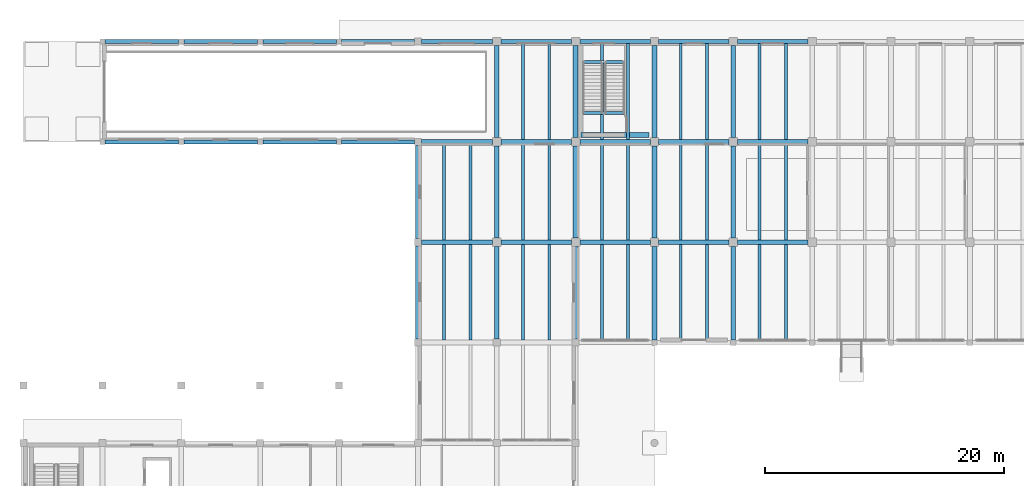
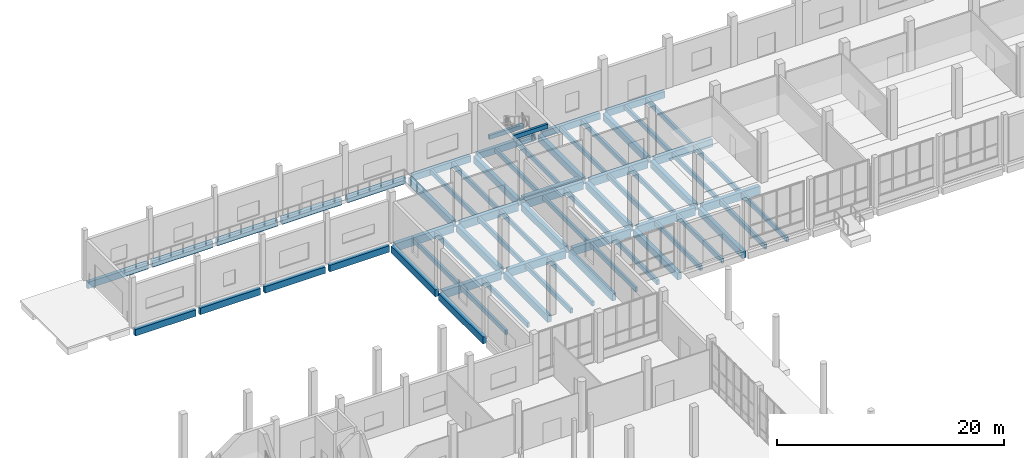
# One storey, part 10 of 64: 68 beams.
"""IFC4 building model written with IfcOpenShell, lengths in metres."""

import ifcopenshell
import ifcopenshell.guid

model = None  # the IFC model being written
_history = None  # IfcOwnerHistory: only IFC2X3 demands one
_inside = {}  # id of a spatial element -> (the spatial element, [elements in it])
_under = {}  # id of a project, library or spatial element -> (it, [spatial elements below it])
_declared = {}  # id of a project -> (the project, [libraries it declares])
_typed = {}  # id of a type object -> (the type object, [elements of that type])
_made_of = {}  # id of a material, layer set ... -> (it, [elements and type objects made of it])


def new_model(schema):
    """Start an empty IFC model of exactly this schema.

    Asked for "IFC4X3", IfcOpenShell would pick the latest addendum, in which some entities
    have other attributes; the version numbers below select the first issue.
    IFC2X3 requires an IfcOwnerHistory on every rooted entity: one is made here for all.
    """
    global model, _history
    if schema == "IFC4X3":
        model = ifcopenshell.file(schema_version=(4, 3, 0, 0))
    else:
        model = ifcopenshell.file(schema=schema)
    _inside.clear()
    _under.clear()
    _declared.clear()
    _typed.clear()
    _made_of.clear()
    _history = None
    if model.schema == "IFC2X3":
        org = make("IfcOrganization", Name="unknown")
        user = make(
            "IfcPersonAndOrganization",
            ThePerson=make("IfcPerson", FamilyName="unknown"),
            TheOrganization=org,
        )
        app = make(
            "IfcApplication",
            ApplicationDeveloper=org,
            Version="unknown",
            ApplicationFullName="unknown",
            ApplicationIdentifier="unknown",
        )
        _history = make(
            "IfcOwnerHistory",
            OwningUser=user,
            OwningApplication=app,
            ChangeAction="ADDED",
            CreationDate=0,
        )
    return model


def make(cls, **values):
    """One entity of the class cls with the attributes given. An attribute that is None is left unset."""
    return model.create_entity(
        cls, **{name: value for name, value in values.items() if value is not None}
    )


def rooted(cls, **values):
    """An entity with a GlobalId (a new one), such as an element, a storey or a relation."""
    return make(cls, GlobalId=ifcopenshell.guid.new(), OwnerHistory=_history, **values)


def si_unit(unit_type, name, prefix=None):
    """IfcSIUnit, for example si_unit("LENGTHUNIT", "METRE", prefix="MILLI")."""
    return make("IfcSIUnit", UnitType=unit_type, Prefix=prefix, Name=name)


def assignment(units):
    """IfcUnitAssignment: the units of a project."""
    return None if units is None else make("IfcUnitAssignment", Units=units)


def point(xyz):
    """IfcCartesianPoint."""
    return None if xyz is None else make("IfcCartesianPoint", Coordinates=xyz)


def direction(xyz):
    """IfcDirection."""
    return None if xyz is None else make("IfcDirection", DirectionRatios=xyz)


def frame(location, z_axis=None, x_axis=None):
    """IfcAxis2Placement3D, a coordinate frame: its origin and axes. An axis left out is left unset."""
    return make(
        "IfcAxis2Placement3D",
        Location=point(location),
        Axis=direction(z_axis),
        RefDirection=direction(x_axis),
    )


def frame_2d(location, x_axis=None):
    """IfcAxis2Placement2D, a coordinate frame in the plane: its origin and x axis."""
    return make(
        "IfcAxis2Placement2D", Location=point(location), RefDirection=direction(x_axis)
    )


def origin():
    """The frame at (0, 0, 0) with its axes left unset."""
    return frame((0.0, 0.0, 0.0))


def origin_2d():
    """The frame at (0, 0) in the plane with its x axis left unset."""
    return frame_2d((0.0, 0.0))


def place(relative_to, where):
    """IfcLocalPlacement: puts the frame where relative to a parent placement (None: the world)."""
    return make(
        "IfcLocalPlacement", PlacementRelTo=relative_to, RelativePlacement=where
    )


def context(
    kind, dimensions, precision=None, world=None, true_north=None, identifier=None
):
    """IfcGeometricRepresentationContext, for example the 3D "Model" context."""
    return make(
        "IfcGeometricRepresentationContext",
        ContextIdentifier=identifier,
        ContextType=kind,
        CoordinateSpaceDimension=dimensions,
        Precision=precision,
        WorldCoordinateSystem=world,
        TrueNorth=true_north,
    )


def subcontext(parent, identifier, kind, view, scale=None):
    """IfcGeometricRepresentationSubContext, for example "Body" below "Model"."""
    return make(
        "IfcGeometricRepresentationSubContext",
        ContextIdentifier=identifier,
        ContextType=kind,
        ParentContext=parent,
        TargetScale=scale,
        TargetView=view,
    )


def project(units=None, contexts=None):
    """IfcProject with its units and contexts."""
    return rooted(
        "IfcProject",
        Name="project",
        RepresentationContexts=contexts,
        UnitsInContext=assignment(units),
    )


def spatial(cls, under=None, at=None, **own):
    """A site, building, storey or space (cls), placed at a placement, below another one or the project."""
    s = rooted(cls, ObjectPlacement=at, **own)
    if under is not None:
        _under.setdefault(under.id(), (under, []))[1].append(s)
    return s


def profile(cls, at=None, kind="AREA", **sizes):
    """A parametric profile (cls). Its sizes go by their IFC names, for example OverallWidth=200.0."""
    return make(cls, ProfileType=kind, Position=at, **sizes)


def rectangle(**sizes):
    """IfcRectangleProfileDef."""
    return profile("IfcRectangleProfileDef", **sizes)


def extrude(swept, where, along, depth):
    """IfcExtrudedAreaSolid: the profile swept, set in the frame where, extruded along a direction by depth."""
    return make(
        "IfcExtrudedAreaSolid",
        SweptArea=swept,
        Position=where,
        ExtrudedDirection=direction(along),
        Depth=depth,
    )


def shape(context_of_items, identifier, shape_type, items):
    """IfcShapeRepresentation: the items that make up one representation, for example the "Body"."""
    return make(
        "IfcShapeRepresentation",
        ContextOfItems=context_of_items,
        RepresentationIdentifier=identifier,
        RepresentationType=shape_type,
        Items=items,
    )


def material(Name=None, Category=None):
    """IfcMaterial."""
    return make("IfcMaterial", Name=Name, Category=Category)


def material_profile(
    of_material, cross_section, Name=None, Category=None, Priority=None
):
    """IfcMaterialProfile: a cross section and its material."""
    return make(
        "IfcMaterialProfile",
        Name=Name,
        Material=of_material,
        Profile=cross_section,
        Priority=Priority,
        Category=Category,
    )


def profile_set(profiles, Name=None, composite=None):
    """IfcMaterialProfileSet."""
    return make(
        "IfcMaterialProfileSet",
        Name=Name,
        MaterialProfiles=profiles,
        CompositeProfile=composite,
    )


def made_of(thing, what):
    """Note that an element or type object is made of a material, layer set ...; save() writes the relation."""
    if what is not None:
        _made_of.setdefault(what.id(), (what, []))[1].append(thing)
    return thing


def type_object(cls, material=None, **own):
    """A type object (cls), such as IfcWallType, which elements share."""
    return made_of(rooted(cls, **own), material)


def element(
    cls,
    number,
    at=None,
    inside=None,
    cuts=None,
    type_object=None,
    material=None,
    context=None,
    identifier="Body",
    shape_type=None,
    held_by="IfcProductDefinitionShape",
    body=None,
    shapes=None,
    **own,
):
    """One element of the class cls, such as IfcWall. Its Tag is "e" and its number.

    at: its placement. inside: the storey or other place that contains it. cuts: it is an
    opening in that element (IfcRelVoidsElement). A single representation is given by context,
    identifier, shape_type and body (its items); several are given by shapes. held_by: the class
    of the entity that holds the representations. save() writes the other relations.
    """
    e = rooted(cls, Tag="e%d" % number, ObjectPlacement=at, **own)
    if body is not None:
        shapes = [shape(context, identifier, shape_type, body)]
    if shapes is not None:
        e.Representation = make(held_by, Representations=shapes)
    if inside is not None:
        _inside.setdefault(inside.id(), (inside, []))[1].append(e)
    if cuts is not None:
        rooted(
            "IfcRelVoidsElement", RelatingBuildingElement=cuts, RelatedOpeningElement=e
        )
    if type_object is not None:
        _typed.setdefault(type_object.id(), (type_object, []))[1].append(e)
    return made_of(e, material)


def aggregate(whole, parts):
    """IfcRelAggregates: a whole, such as a stair, and the parts it consists of."""
    return rooted("IfcRelAggregates", RelatingObject=whole, RelatedObjects=parts)


def save(model, path):
    """Write the relations noted so far, then the file.

    IfcRelAggregates (storeys below a building ...), IfcRelContainedInSpatialStructure (elements
    in a storey), IfcRelDefinesByType, IfcRelAssociatesMaterial and IfcRelDeclares: one each for
    every whole, place, type object, material and project.
    """
    for whole, parts in _under.values():
        aggregate(whole, parts)
    for where, things in _inside.values():
        rooted(
            "IfcRelContainedInSpatialStructure",
            RelatedElements=things,
            RelatingStructure=where,
        )
    for kind, things in _typed.values():
        rooted("IfcRelDefinesByType", RelatedObjects=things, RelatingType=kind)
    for what, things in _made_of.values():
        rooted("IfcRelAssociatesMaterial", RelatedObjects=things, RelatingMaterial=what)
    for by, libraries in _declared.values():
        rooted("IfcRelDeclares", RelatingContext=by, RelatedDefinitions=libraries)
    model.write(path)


model = new_model("IFC4")

# Units and contexts
model_context = context("Model", 3, precision=1e-05, world=origin(), true_north=direction((0.0, 1.0)))
body_context = subcontext(model_context, "Body", "Model", "MODEL_VIEW")
ifc_project = project(units=[si_unit("LENGTHUNIT", "METRE"), si_unit("AREAUNIT", "SQUARE_METRE"), si_unit("VOLUMEUNIT", "CUBIC_METRE"), si_unit("PLANEANGLEUNIT", "RADIAN"), si_unit("MASSUNIT", "GRAM", prefix="KILO")], contexts=[model_context])

# Site, building, storey
site_placement = place(None, origin())
site = spatial("IfcSite", under=ifc_project, at=site_placement, CompositionType="ELEMENT")
building_placement = place(site_placement, origin())
building = spatial("IfcBuilding", under=site, at=building_placement, Name="Qaldarim Faculty of Natural and Applied Sciences", CompositionType="ELEMENT")
storey_placement = place(building_placement, origin())
storey = spatial("IfcBuildingStorey", under=building, at=storey_placement, Name="L00", CompositionType="ELEMENT", Elevation=0.0)

# Beams
ifc_material_1 = material(Name="Concrete C40/50", Category="concrete")
ifc_material_profile_1 = material_profile(ifc_material_1, rectangle(XDim=0.239990234375, YDim=0.5, at=origin_2d()), Name="RC-J240x500")
ifc_profile_set_1 = profile_set([ifc_material_profile_1], Name="Concrete C40/50")
beam_type_1 = type_object("IfcBeamType", Name="HeavyJoist-RC240x500", PredefinedType="JOIST", material=ifc_profile_set_1)
for number, where, z_axis, x_axis, name in (
    (1, (35.199951171875, 92.60009765625, -0.610107421875), (0.0, 1.0, 0.0), (-1.0, 0.0, 0.0), "Laboratory joist B01 bay X06Y12-1"),
    (2, (37.39990234375, 92.60009765625, -0.610107421875), (0.0, 1.0, 0.0), (-1.0, 0.0, 0.0), "Laboratory joist B01 bay X06Y12-2"),
    (3, (35.199951171875, 101.0, -0.610107421875), (0.0, 1.0, 0.0), (-1.0, 0.0, 0.0), "Laboratory joist B01 bay X06Y13-1"),
    (4, (37.39990234375, 101.0, -0.610107421875), (0.0, 1.0, 0.0), (-1.0, 0.0, 0.0), "Laboratory joist B01 bay X06Y13-2"),
    (5, (41.800048828125, 92.60009765625, -0.610107421875), (0.0, 1.0, 0.0), (-1.0, 0.0, 0.0), "Laboratory joist B01 bay X07Y12-1"),
    (6, (44.0, 92.60009765625, -0.610107421875), (0.0, 1.0, 0.0), (-1.0, 0.0, 0.0), "Laboratory joist B01 bay X07Y12-2"),
    (7, (41.800048828125, 101.0, -0.610107421875), (0.0, 1.0, 0.0), (-1.0, 0.0, 0.0), "Laboratory joist B01 bay X07Y13-1"),
    (8, (44.0, 101.0, -0.610107421875), (0.0, 1.0, 0.0), (-1.0, 0.0, 0.0), "Laboratory joist B01 bay X07Y13-2"),
):
    element("IfcBeam", number, at=place(storey_placement, frame(where, z_axis=z_axis, x_axis=x_axis)), inside=storey, type_object=beam_type_1, Name=name, PredefinedType="JOIST", context=body_context, shape_type="SweptSolid", body=[
        extrude(rectangle(XDim=0.239990234375, YDim=0.5, at=origin_2d()), origin(), (0.0, 0.0, 1.0), 8.0),
    ])
for number, where, z_axis, x_axis, name in (
    (9, (41.800048828125, 109.39990234375, -0.610107421875), (0.0, 1.0, 0.0), (-1.0, 0.0, 0.0), "Laboratory joist B01 bay X07Y14-1"),
    (10, (44.0, 109.39990234375, -0.610107421875), (0.0, 1.0, 0.0), (-1.0, 0.0, 0.0), "Laboratory joist B01 bay X07Y14-2"),
    (11, (48.39990234375, 92.574951171875, -0.610107421875), (0.0, 1.0, 0.0), (-1.0, 0.0, 0.0), "Laboratory joist B01 bay X08Y12-1"),
    (12, (50.60009765625, 92.574951171875, -0.610107421875), (0.0, 1.0, 0.0), (-1.0, 0.0, 0.0), "Laboratory joist B01 bay X08Y12-2"),
):
    element("IfcBeam", number, at=place(storey_placement, frame(where, z_axis=z_axis, x_axis=x_axis)), inside=storey, type_object=beam_type_1, Name=name, PredefinedType="JOIST", context=body_context, shape_type="SweptSolid", body=[
        extrude(rectangle(XDim=0.239990234375, YDim=0.5, at=origin_2d()), origin(), (0.0, 0.0, 1.0), 8.025146484375),
    ])
for number, where, z_axis, x_axis, name in (
    (13, (48.39990234375, 101.0, -0.610107421875), (0.0, 1.0, 0.0), (-1.0, 0.0, 0.0), "Laboratory joist B01 bay X08Y13-1"),
    (14, (50.60009765625, 101.0, -0.610107421875), (0.0, 1.0, 0.0), (-1.0, 0.0, 0.0), "Laboratory joist B01 bay X08Y13-2"),
):
    element("IfcBeam", number, at=place(storey_placement, frame(where, z_axis=z_axis, x_axis=x_axis)), inside=storey, type_object=beam_type_1, Name=name, PredefinedType="JOIST", context=body_context, shape_type="SweptSolid", body=[
        extrude(rectangle(XDim=0.239990234375, YDim=0.5, at=origin_2d()), origin(), (0.0, 0.0, 1.0), 8.0),
    ])
for number, where, z_axis, x_axis, name in (
    (15, (48.39990234375, 109.39990234375, -0.610107421875), (0.0, 1.0, 0.0), (-1.0, 0.0, 0.0), "Laboratory joist B01 bay X08Y14-1"),
    (16, (50.60009765625, 109.39990234375, -0.610107421875), (0.0, 1.0, 0.0), (-1.0, 0.0, 0.0), "Laboratory joist B01 bay X08Y14-2"),
    (17, (55.0, 92.574951171875, -0.610107421875), (0.0, 1.0, 0.0), (-1.0, 0.0, 0.0), "Laboratory joist B01 bay X09Y12-1"),
    (18, (57.199951171875, 92.574951171875, -0.610107421875), (0.0, 1.0, 0.0), (-1.0, 0.0, 0.0), "Laboratory joist B01 bay X09Y12-2"),
):
    element("IfcBeam", number, at=place(storey_placement, frame(where, z_axis=z_axis, x_axis=x_axis)), inside=storey, type_object=beam_type_1, Name=name, PredefinedType="JOIST", context=body_context, shape_type="SweptSolid", body=[
        extrude(rectangle(XDim=0.239990234375, YDim=0.5, at=origin_2d()), origin(), (0.0, 0.0, 1.0), 8.025146484375),
    ])
for number, where, z_axis, x_axis, name in (
    (19, (55.0, 101.0, -0.610107421875), (0.0, 1.0, 0.0), (-1.0, 0.0, 0.0), "Laboratory joist B01 bay X09Y13-1"),
    (20, (57.199951171875, 101.0, -0.610107421875), (0.0, 1.0, 0.0), (-1.0, 0.0, 0.0), "Laboratory joist B01 bay X09Y13-2"),
):
    element("IfcBeam", number, at=place(storey_placement, frame(where, z_axis=z_axis, x_axis=x_axis)), inside=storey, type_object=beam_type_1, Name=name, PredefinedType="JOIST", context=body_context, shape_type="SweptSolid", body=[
        extrude(rectangle(XDim=0.239990234375, YDim=0.5, at=origin_2d()), origin(), (0.0, 0.0, 1.0), 8.0),
    ])
for number, where, z_axis, x_axis, name in (
    (21, (55.0, 109.39990234375, -0.610107421875), (0.0, 1.0, 0.0), (-1.0, 0.0, 0.0), "Laboratory joist B01 bay X09Y14-1"),
    (22, (57.199951171875, 109.39990234375, -0.610107421875), (0.0, 1.0, 0.0), (-1.0, 0.0, 0.0), "Laboratory joist B01 bay X09Y14-2"),
    (23, (61.60009765625, 92.574951171875, -0.610107421875), (0.0, 1.0, 0.0), (-1.0, 0.0, 0.0), "Laboratory joist B01 bay X10Y12-1"),
    (24, (63.800048828125, 92.574951171875, -0.610107421875), (0.0, 1.0, 0.0), (-1.0, 0.0, 0.0), "Laboratory joist B01 bay X10Y12-2"),
):
    element("IfcBeam", number, at=place(storey_placement, frame(where, z_axis=z_axis, x_axis=x_axis)), inside=storey, type_object=beam_type_1, Name=name, PredefinedType="JOIST", context=body_context, shape_type="SweptSolid", body=[
        extrude(rectangle(XDim=0.239990234375, YDim=0.5, at=origin_2d()), origin(), (0.0, 0.0, 1.0), 8.025146484375),
    ])
for number, where, z_axis, x_axis, name in (
    (25, (61.60009765625, 101.0, -0.610107421875), (0.0, 1.0, 0.0), (-1.0, 0.0, 0.0), "Laboratory joist B01 bay X10Y13-1"),
    (26, (63.800048828125, 101.0, -0.610107421875), (0.0, 1.0, 0.0), (-1.0, 0.0, 0.0), "Laboratory joist B01 bay X10Y13-2"),
):
    element("IfcBeam", number, at=place(storey_placement, frame(where, z_axis=z_axis, x_axis=x_axis)), inside=storey, type_object=beam_type_1, Name=name, PredefinedType="JOIST", context=body_context, shape_type="SweptSolid", body=[
        extrude(rectangle(XDim=0.239990234375, YDim=0.5, at=origin_2d()), origin(), (0.0, 0.0, 1.0), 8.0),
    ])
for number, where, z_axis, x_axis, name in (
    (27, (61.60009765625, 109.39990234375, -0.610107421875), (0.0, 1.0, 0.0), (-1.0, 0.0, 0.0), "Laboratory joist B01 bay X10Y14-1"),
    (28, (63.800048828125, 109.39990234375, -0.610107421875), (0.0, 1.0, 0.0), (-1.0, 0.0, 0.0), "Laboratory joist B01 bay X10Y14-2"),
):
    element("IfcBeam", number, at=place(storey_placement, frame(where, z_axis=z_axis, x_axis=x_axis)), inside=storey, type_object=beam_type_1, Name=name, PredefinedType="JOIST", context=body_context, shape_type="SweptSolid", body=[
        extrude(rectangle(XDim=0.239990234375, YDim=0.5, at=origin_2d()), origin(), (0.0, 0.0, 1.0), 8.025146484375),
    ])
ifc_material_2 = material(Name="Concrete C50/60", Category="concrete")
ifc_material_profile_2 = material_profile(ifc_material_2, rectangle(XDim=0.39990234375, YDim=0.75, at=origin_2d()), Name="RC-B400x750")
ifc_profile_set_2 = profile_set([ifc_material_profile_2], Name="Concrete C50/60")
beam_type_2 = type_object("IfcBeamType", Name="LabGirder-RC400x750", PredefinedType="BEAM", material=ifc_profile_set_2)
beam_1_placement = place(storey_placement, frame((33.0, 92.699951171875, -0.735107421875), z_axis=(0.0, 1.0, 0.0), x_axis=(-1.0, 0.0, 0.0)))
element("IfcBeam", 29, at=beam_1_placement, inside=storey, type_object=beam_type_2, Name="Beam RC-B400x750 B01 X06/Y12-Y13", PredefinedType="BEAM", context=body_context, shape_type="SweptSolid", body=[
    extrude(rectangle(XDim=0.39990234375, YDim=0.75, at=origin_2d()), origin(), (0.0, 0.0, 1.0), 7.800048828125),
])
beam_2_placement = place(storey_placement, frame((33.0, 101.10009765625, -0.735107421875), z_axis=(0.0, 1.0, 0.0), x_axis=(-1.0, 0.0, 0.0)))
element("IfcBeam", 30, at=beam_2_placement, inside=storey, type_object=beam_type_2, Name="Beam RC-B400x750 B01 X06/Y13-Y14", PredefinedType="BEAM", context=body_context, shape_type="SweptSolid", body=[
    extrude(rectangle(XDim=0.39990234375, YDim=0.75, at=origin_2d()), origin(), (0.0, 0.0, 1.0), 7.7998046875),
])
beam_3_placement = place(storey_placement, frame((39.60009765625, 92.699951171875, -0.735107421875), z_axis=(0.0, 1.0, 0.0), x_axis=(-1.0, 0.0, 0.0)))
element("IfcBeam", 31, at=beam_3_placement, inside=storey, type_object=beam_type_2, Name="Beam RC-B400x750 B01 X07/Y12-Y13", PredefinedType="BEAM", context=body_context, shape_type="SweptSolid", body=[
    extrude(rectangle(XDim=0.39990234375, YDim=0.75, at=origin_2d()), origin(), (0.0, 0.0, 1.0), 7.75),
])
beam_4_placement = place(storey_placement, frame((39.60009765625, 101.14990234375, -0.735107421875), z_axis=(0.0, 1.0, 0.0), x_axis=(-1.0, 0.0, 0.0)))
element("IfcBeam", 32, at=beam_4_placement, inside=storey, type_object=beam_type_2, Name="Beam RC-B400x750 B01 X07/Y13-Y14", PredefinedType="BEAM", context=body_context, shape_type="SweptSolid", body=[
    extrude(rectangle(XDim=0.39990234375, YDim=0.75, at=origin_2d()), origin(), (0.0, 0.0, 1.0), 7.7001953125),
])
beam_5_placement = place(storey_placement, frame((39.60009765625, 109.550048828125, -0.735107421875), z_axis=(0.0, 1.0, 0.0), x_axis=(-1.0, 0.0, 0.0)))
element("IfcBeam", 33, at=beam_5_placement, inside=storey, type_object=beam_type_2, Name="Beam RC-B400x750 B01 X07/Y14-Y15", PredefinedType="BEAM", context=body_context, shape_type="SweptSolid", body=[
    extrude(rectangle(XDim=0.39990234375, YDim=0.75, at=origin_2d()), origin(), (0.0, 0.0, 1.0), 7.699951171875),
])
beam_6_placement = place(storey_placement, frame((46.199951171875, 92.699951171875, -0.735107421875), z_axis=(0.0, 1.0, 0.0), x_axis=(-1.0, 0.0, 0.0)))
element("IfcBeam", 34, at=beam_6_placement, inside=storey, type_object=beam_type_2, Name="Beam RC-B400x750 B01 X08/Y12-Y13", PredefinedType="BEAM", context=body_context, shape_type="SweptSolid", body=[
    extrude(rectangle(XDim=0.39990234375, YDim=0.75, at=origin_2d()), origin(), (0.0, 0.0, 1.0), 7.75),
])
beam_7_placement = place(storey_placement, frame((46.199951171875, 101.14990234375, -0.735107421875), z_axis=(0.0, 1.0, 0.0), x_axis=(-1.0, 0.0, 0.0)))
element("IfcBeam", 35, at=beam_7_placement, inside=storey, type_object=beam_type_2, Name="Beam RC-B400x750 B01 X08/Y13-Y14", PredefinedType="BEAM", context=body_context, shape_type="SweptSolid", body=[
    extrude(rectangle(XDim=0.39990234375, YDim=0.75, at=origin_2d()), origin(), (0.0, 0.0, 1.0), 7.7001953125),
])
beam_8_placement = place(storey_placement, frame((46.199951171875, 109.550048828125, -0.735107421875), z_axis=(0.0, 1.0, 0.0), x_axis=(-1.0, 0.0, 0.0)))
element("IfcBeam", 36, at=beam_8_placement, inside=storey, type_object=beam_type_2, Name="Beam RC-B400x750 B01 X08/Y14-Y15", PredefinedType="BEAM", context=body_context, shape_type="SweptSolid", body=[
    extrude(rectangle(XDim=0.39990234375, YDim=0.75, at=origin_2d()), origin(), (0.0, 0.0, 1.0), 7.699951171875),
])
beam_9_placement = place(storey_placement, frame((52.800048828125, 92.625, -0.735107421875), z_axis=(0.0, 1.0, 0.0), x_axis=(-1.0, 0.0, 0.0)))
element("IfcBeam", 37, at=beam_9_placement, inside=storey, type_object=beam_type_2, Name="Beam RC-B400x750 B01 X09/Y12-Y13", PredefinedType="BEAM", context=body_context, shape_type="SweptSolid", body=[
    extrude(rectangle(XDim=0.39990234375, YDim=0.75, at=origin_2d()), origin(), (0.0, 0.0, 1.0), 7.824951171875),
])
beam_10_placement = place(storey_placement, frame((52.800048828125, 101.14990234375, -0.735107421875), z_axis=(0.0, 1.0, 0.0), x_axis=(-1.0, 0.0, 0.0)))
element("IfcBeam", 38, at=beam_10_placement, inside=storey, type_object=beam_type_2, Name="Beam RC-B400x750 B01 X09/Y13-Y14", PredefinedType="BEAM", context=body_context, shape_type="SweptSolid", body=[
    extrude(rectangle(XDim=0.39990234375, YDim=0.75, at=origin_2d()), origin(), (0.0, 0.0, 1.0), 7.7001953125),
])
beam_11_placement = place(storey_placement, frame((52.800048828125, 109.550048828125, -0.735107421875), z_axis=(0.0, 1.0, 0.0), x_axis=(-1.0, 0.0, 0.0)))
element("IfcBeam", 39, at=beam_11_placement, inside=storey, type_object=beam_type_2, Name="Beam RC-B400x750 B01 X09/Y14-Y15", PredefinedType="BEAM", context=body_context, shape_type="SweptSolid", body=[
    extrude(rectangle(XDim=0.39990234375, YDim=0.75, at=origin_2d()), origin(), (0.0, 0.0, 1.0), 7.699951171875),
])
beam_12_placement = place(storey_placement, frame((59.39990234375, 92.625, -0.735107421875), z_axis=(0.0, 1.0, 0.0), x_axis=(-1.0, 0.0, 0.0)))
element("IfcBeam", 40, at=beam_12_placement, inside=storey, type_object=beam_type_2, Name="Beam RC-B400x750 B01 X10/Y12-Y13", PredefinedType="BEAM", context=body_context, shape_type="SweptSolid", body=[
    extrude(rectangle(XDim=0.39990234375, YDim=0.75, at=origin_2d()), origin(), (0.0, 0.0, 1.0), 7.824951171875),
])
beam_13_placement = place(storey_placement, frame((59.39990234375, 101.14990234375, -0.735107421875), z_axis=(0.0, 1.0, 0.0), x_axis=(-1.0, 0.0, 0.0)))
element("IfcBeam", 41, at=beam_13_placement, inside=storey, type_object=beam_type_2, Name="Beam RC-B400x750 B01 X10/Y13-Y14", PredefinedType="BEAM", context=body_context, shape_type="SweptSolid", body=[
    extrude(rectangle(XDim=0.39990234375, YDim=0.75, at=origin_2d()), origin(), (0.0, 0.0, 1.0), 7.7001953125),
])
beam_14_placement = place(storey_placement, frame((59.39990234375, 109.550048828125, -0.735107421875), z_axis=(0.0, 1.0, 0.0), x_axis=(-1.0, 0.0, 0.0)))
element("IfcBeam", 42, at=beam_14_placement, inside=storey, type_object=beam_type_2, Name="Beam RC-B400x750 B01 X10/Y14-Y15", PredefinedType="BEAM", context=body_context, shape_type="SweptSolid", body=[
    extrude(rectangle(XDim=0.39990234375, YDim=0.75, at=origin_2d()), origin(), (0.0, 0.0, 1.0), 7.699951171875),
])
ifc_material_profile_3 = material_profile(ifc_material_1, rectangle(XDim=0.25, YDim=0.449951171875, at=origin_2d()), Name="RC-LN250x450")
ifc_profile_set_3 = profile_set([ifc_material_profile_3], Name="Concrete C40/50")
beam_type_3 = type_object("IfcBeamType", Name="LandingSupportBeam-RC250x450", PredefinedType="BEAM", material=ifc_profile_set_3)
for number, where, z_axis, x_axis, name in (
    (43, (46.800048828125, 115.875, 2.264892578125), (1.0, 0.0, 0.0), (0.0, 1.0, 0.0), "Stair landing support beam ST-B2 L00"),
    (44, (46.800048828125, 111.60009765625, 4.875), (1.0, 0.0, 0.0), (0.0, 1.0, 0.0), "Stair arrival support beam ST-B2 L00"),
):
    element("IfcBeam", number, at=place(storey_placement, frame(where, z_axis=z_axis, x_axis=x_axis)), inside=storey, type_object=beam_type_3, Name=name, PredefinedType="BEAM", context=body_context, shape_type="SweptSolid", body=[
        extrude(rectangle(XDim=0.25, YDim=0.449951171875, at=origin_2d()), origin(), (0.0, 0.0, 1.0), 3.5),
    ])
ifc_material_profile_4 = material_profile(ifc_material_2, rectangle(XDim=0.39990234375, YDim=0.85009765625, at=origin_2d()), Name="RC-B400x850")
ifc_profile_set_4 = profile_set([ifc_material_profile_4], Name="Concrete C50/60")
beam_type_4 = type_object("IfcBeamType", Name="PodiumGirder-RC400x850", PredefinedType="BEAM", material=ifc_profile_set_4)
beam_15_placement = place(storey_placement, frame((33.300048828125, 100.800048828125, -0.784912109375), z_axis=(1.0, 0.0, 0.0), x_axis=(0.0, 1.0, 0.0)))
element("IfcBeam", 45, at=beam_15_placement, inside=storey, type_object=beam_type_4, Name="Beam RC-B400x850 B01 X06-X07/Y13", PredefinedType="BEAM", context=body_context, shape_type="SweptSolid", body=[
    extrude(rectangle(XDim=0.39990234375, YDim=0.85009765625, at=origin_2d()), origin(), (0.0, 0.0, 1.0), 5.949951171875),
])
beam_16_placement = place(storey_placement, frame((39.949951171875, 100.800048828125, -0.784912109375), z_axis=(1.0, 0.0, 0.0), x_axis=(0.0, 1.0, 0.0)))
element("IfcBeam", 46, at=beam_16_placement, inside=storey, type_object=beam_type_4, Name="Beam RC-B400x850 B01 X07-X08/Y13", PredefinedType="BEAM", context=body_context, shape_type="SweptSolid", body=[
    extrude(rectangle(XDim=0.39990234375, YDim=0.85009765625, at=origin_2d()), origin(), (0.0, 0.0, 1.0), 5.900146484375),
])
beam_17_placement = place(storey_placement, frame((46.550048828125, 100.800048828125, -0.784912109375), z_axis=(1.0, 0.0, 0.0), x_axis=(0.0, 1.0, 0.0)))
element("IfcBeam", 47, at=beam_17_placement, inside=storey, type_object=beam_type_4, Name="Beam RC-B400x850 B01 X08-X09/Y13", PredefinedType="BEAM", context=body_context, shape_type="SweptSolid", body=[
    extrude(rectangle(XDim=0.39990234375, YDim=0.85009765625, at=origin_2d()), origin(), (0.0, 0.0, 1.0), 5.89990234375),
])
beam_18_placement = place(storey_placement, frame((53.14990234375, 100.800048828125, -0.784912109375), z_axis=(1.0, 0.0, 0.0), x_axis=(0.0, 1.0, 0.0)))
element("IfcBeam", 48, at=beam_18_placement, inside=storey, type_object=beam_type_4, Name="Beam RC-B400x850 B01 X09-X10/Y13", PredefinedType="BEAM", context=body_context, shape_type="SweptSolid", body=[
    extrude(rectangle(XDim=0.39990234375, YDim=0.85009765625, at=origin_2d()), origin(), (0.0, 0.0, 1.0), 5.900146484375),
])
beam_19_placement = place(storey_placement, frame((59.75, 100.800048828125, -0.784912109375), z_axis=(1.0, 0.0, 0.0), x_axis=(0.0, 1.0, 0.0)))
element("IfcBeam", 49, at=beam_19_placement, inside=storey, type_object=beam_type_4, Name="Beam RC-B400x850 B01 X10-X11/Y13", PredefinedType="BEAM", context=body_context, shape_type="SweptSolid", body=[
    extrude(rectangle(XDim=0.39990234375, YDim=0.85009765625, at=origin_2d()), origin(), (0.0, 0.0, 1.0), 5.89990234375),
])
beam_20_placement = place(storey_placement, frame((33.300048828125, 109.199951171875, -0.784912109375), z_axis=(1.0, 0.0, 0.0), x_axis=(0.0, 1.0, 0.0)))
element("IfcBeam", 50, at=beam_20_placement, inside=storey, type_object=beam_type_4, Name="Beam RC-B400x850 B01 X06-X07/Y14", PredefinedType="BEAM", context=body_context, shape_type="SweptSolid", body=[
    extrude(rectangle(XDim=0.39990234375, YDim=0.85009765625, at=origin_2d()), origin(), (0.0, 0.0, 1.0), 5.949951171875),
])
beam_21_placement = place(storey_placement, frame((39.949951171875, 109.199951171875, -0.784912109375), z_axis=(1.0, 0.0, 0.0), x_axis=(0.0, 1.0, 0.0)))
element("IfcBeam", 51, at=beam_21_placement, inside=storey, type_object=beam_type_4, Name="Beam RC-B400x850 B01 X07-X08/Y14", PredefinedType="BEAM", context=body_context, shape_type="SweptSolid", body=[
    extrude(rectangle(XDim=0.39990234375, YDim=0.85009765625, at=origin_2d()), origin(), (0.0, 0.0, 1.0), 5.900146484375),
])
beam_22_placement = place(storey_placement, frame((46.550048828125, 109.199951171875, -0.784912109375), z_axis=(1.0, 0.0, 0.0), x_axis=(0.0, 1.0, 0.0)))
element("IfcBeam", 52, at=beam_22_placement, inside=storey, type_object=beam_type_4, Name="Beam RC-B400x850 B01 X08-X09/Y14", PredefinedType="BEAM", context=body_context, shape_type="SweptSolid", body=[
    extrude(rectangle(XDim=0.39990234375, YDim=0.85009765625, at=origin_2d()), origin(), (0.0, 0.0, 1.0), 5.89990234375),
])
beam_23_placement = place(storey_placement, frame((53.14990234375, 109.199951171875, -0.784912109375), z_axis=(1.0, 0.0, 0.0), x_axis=(0.0, 1.0, 0.0)))
element("IfcBeam", 53, at=beam_23_placement, inside=storey, type_object=beam_type_4, Name="Beam RC-B400x850 B01 X09-X10/Y14", PredefinedType="BEAM", context=body_context, shape_type="SweptSolid", body=[
    extrude(rectangle(XDim=0.39990234375, YDim=0.85009765625, at=origin_2d()), origin(), (0.0, 0.0, 1.0), 5.900146484375),
])
beam_24_placement = place(storey_placement, frame((59.75, 109.199951171875, -0.784912109375), z_axis=(1.0, 0.0, 0.0), x_axis=(0.0, 1.0, 0.0)))
element("IfcBeam", 54, at=beam_24_placement, inside=storey, type_object=beam_type_4, Name="Beam RC-B400x850 B01 X10-X11/Y14", PredefinedType="BEAM", context=body_context, shape_type="SweptSolid", body=[
    extrude(rectangle(XDim=0.39990234375, YDim=0.85009765625, at=origin_2d()), origin(), (0.0, 0.0, 1.0), 5.89990234375),
])
beam_25_placement = place(storey_placement, frame((46.64990234375, 109.77001953125, -0.784912109375), z_axis=(1.0, 0.0, 0.0), x_axis=(0.0, 1.0, 0.0)))
element("IfcBeam", 55, at=beam_25_placement, inside=storey, type_object=beam_type_4, Name="Stair shaft foundation transfer beam STB2-S", PredefinedType="BEAM", context=body_context, shape_type="SweptSolid", body=[
    extrude(rectangle(XDim=0.39990234375, YDim=0.85009765625, at=origin_2d()), origin(), (0.0, 0.0, 1.0), 5.7001953125),
])
ifc_material_profile_5 = material_profile(ifc_material_1, rectangle(XDim=0.35009765625, YDim=0.699951171875, at=origin_2d()), Name="RC-B350x700")
ifc_profile_set_5 = profile_set([ifc_material_profile_5], Name="Concrete C40/50")
beam_type_5 = type_object("IfcBeamType", Name="PrimaryGirder-RC350x700", PredefinedType="BEAM", material=ifc_profile_set_5)
beam_26_placement = place(storey_placement, frame((6.824951171875, 109.199951171875, -0.7099609375), z_axis=(1.0, 0.0, 0.0), x_axis=(0.0, 1.0, 0.0)))
element("IfcBeam", 56, at=beam_26_placement, inside=storey, type_object=beam_type_5, Name="Beam RC-B350x700 B01 X02-X03/Y14", PredefinedType="BEAM", context=body_context, shape_type="SweptSolid", body=[
    extrude(rectangle(XDim=0.35009765625, YDim=0.699951171875, at=origin_2d()), origin(), (0.0, 0.0, 1.0), 6.150146484375),
])
beam_27_placement = place(storey_placement, frame((13.425048828125, 109.199951171875, -0.7099609375), z_axis=(1.0, 0.0, 0.0), x_axis=(0.0, 1.0, 0.0)))
element("IfcBeam", 57, at=beam_27_placement, inside=storey, type_object=beam_type_5, Name="Beam RC-B350x700 B01 X03-X04/Y14", PredefinedType="BEAM", context=body_context, shape_type="SweptSolid", body=[
    extrude(rectangle(XDim=0.35009765625, YDim=0.699951171875, at=origin_2d()), origin(), (0.0, 0.0, 1.0), 6.14990234375),
])
beam_28_placement = place(storey_placement, frame((20.02490234375, 109.199951171875, -0.7099609375), z_axis=(1.0, 0.0, 0.0), x_axis=(0.0, 1.0, 0.0)))
element("IfcBeam", 58, at=beam_28_placement, inside=storey, type_object=beam_type_5, Name="Beam RC-B350x700 B01 X04-X05/Y14", PredefinedType="BEAM", context=body_context, shape_type="SweptSolid", body=[
    extrude(rectangle(XDim=0.35009765625, YDim=0.699951171875, at=origin_2d()), origin(), (0.0, 0.0, 1.0), 6.150146484375),
])
beam_29_placement = place(storey_placement, frame((26.625, 109.199951171875, -0.7099609375), z_axis=(1.0, 0.0, 0.0), x_axis=(0.0, 1.0, 0.0)))
element("IfcBeam", 59, at=beam_29_placement, inside=storey, type_object=beam_type_5, Name="Beam RC-B350x700 B01 X05-X06/Y14", PredefinedType="BEAM", context=body_context, shape_type="SweptSolid", body=[
    extrude(rectangle(XDim=0.35009765625, YDim=0.699951171875, at=origin_2d()), origin(), (0.0, 0.0, 1.0), 6.074951171875),
])
beam_30_placement = place(storey_placement, frame((6.824951171875, 117.60009765625, -0.7099609375), z_axis=(1.0, 0.0, 0.0), x_axis=(0.0, 1.0, 0.0)))
element("IfcBeam", 60, at=beam_30_placement, inside=storey, type_object=beam_type_5, Name="Beam RC-B350x700 B01 X02-X03/Y15", PredefinedType="BEAM", context=body_context, shape_type="SweptSolid", body=[
    extrude(rectangle(XDim=0.35009765625, YDim=0.699951171875, at=origin_2d()), origin(), (0.0, 0.0, 1.0), 6.150146484375),
])
beam_31_placement = place(storey_placement, frame((13.425048828125, 117.60009765625, -0.7099609375), z_axis=(1.0, 0.0, 0.0), x_axis=(0.0, 1.0, 0.0)))
element("IfcBeam", 61, at=beam_31_placement, inside=storey, type_object=beam_type_5, Name="Beam RC-B350x700 B01 X03-X04/Y15", PredefinedType="BEAM", context=body_context, shape_type="SweptSolid", body=[
    extrude(rectangle(XDim=0.35009765625, YDim=0.699951171875, at=origin_2d()), origin(), (0.0, 0.0, 1.0), 6.14990234375),
])
beam_32_placement = place(storey_placement, frame((20.02490234375, 117.60009765625, -0.7099609375), z_axis=(1.0, 0.0, 0.0), x_axis=(0.0, 1.0, 0.0)))
element("IfcBeam", 62, at=beam_32_placement, inside=storey, type_object=beam_type_5, Name="Beam RC-B350x700 B01 X04-X05/Y15", PredefinedType="BEAM", context=body_context, shape_type="SweptSolid", body=[
    extrude(rectangle(XDim=0.35009765625, YDim=0.699951171875, at=origin_2d()), origin(), (0.0, 0.0, 1.0), 6.150146484375),
])
beam_33_placement = place(storey_placement, frame((26.625, 117.60009765625, -0.7099609375), z_axis=(1.0, 0.0, 0.0), x_axis=(0.0, 1.0, 0.0)))
element("IfcBeam", 63, at=beam_33_placement, inside=storey, type_object=beam_type_5, Name="Beam RC-B350x700 B01 X05-X06/Y15", PredefinedType="BEAM", context=body_context, shape_type="SweptSolid", body=[
    extrude(rectangle(XDim=0.35009765625, YDim=0.699951171875, at=origin_2d()), origin(), (0.0, 0.0, 1.0), 6.074951171875),
])
beam_34_placement = place(storey_placement, frame((33.300048828125, 117.60009765625, -0.7099609375), z_axis=(1.0, 0.0, 0.0), x_axis=(0.0, 1.0, 0.0)))
element("IfcBeam", 64, at=beam_34_placement, inside=storey, type_object=beam_type_5, Name="Beam RC-B350x700 B01 X06-X07/Y15", PredefinedType="BEAM", context=body_context, shape_type="SweptSolid", body=[
    extrude(rectangle(XDim=0.35009765625, YDim=0.699951171875, at=origin_2d()), origin(), (0.0, 0.0, 1.0), 5.949951171875),
])
beam_35_placement = place(storey_placement, frame((39.949951171875, 117.60009765625, -0.7099609375), z_axis=(1.0, 0.0, 0.0), x_axis=(0.0, 1.0, 0.0)))
element("IfcBeam", 65, at=beam_35_placement, inside=storey, type_object=beam_type_5, Name="Beam RC-B350x700 B01 X07-X08/Y15", PredefinedType="BEAM", context=body_context, shape_type="SweptSolid", body=[
    extrude(rectangle(XDim=0.35009765625, YDim=0.699951171875, at=origin_2d()), origin(), (0.0, 0.0, 1.0), 5.900146484375),
])
beam_36_placement = place(storey_placement, frame((46.550048828125, 117.60009765625, -0.7099609375), z_axis=(1.0, 0.0, 0.0), x_axis=(0.0, 1.0, 0.0)))
element("IfcBeam", 66, at=beam_36_placement, inside=storey, type_object=beam_type_5, Name="Beam RC-B350x700 B01 X08-X09/Y15", PredefinedType="BEAM", context=body_context, shape_type="SweptSolid", body=[
    extrude(rectangle(XDim=0.35009765625, YDim=0.699951171875, at=origin_2d()), origin(), (0.0, 0.0, 1.0), 5.89990234375),
])
beam_37_placement = place(storey_placement, frame((53.14990234375, 117.60009765625, -0.7099609375), z_axis=(1.0, 0.0, 0.0), x_axis=(0.0, 1.0, 0.0)))
element("IfcBeam", 67, at=beam_37_placement, inside=storey, type_object=beam_type_5, Name="Beam RC-B350x700 B01 X09-X10/Y15", PredefinedType="BEAM", context=body_context, shape_type="SweptSolid", body=[
    extrude(rectangle(XDim=0.35009765625, YDim=0.699951171875, at=origin_2d()), origin(), (0.0, 0.0, 1.0), 5.900146484375),
])
beam_38_placement = place(storey_placement, frame((59.75, 117.60009765625, -0.7099609375), z_axis=(1.0, 0.0, 0.0), x_axis=(0.0, 1.0, 0.0)))
element("IfcBeam", 68, at=beam_38_placement, inside=storey, type_object=beam_type_5, Name="Beam RC-B350x700 B01 X10-X11/Y15", PredefinedType="BEAM", context=body_context, shape_type="SweptSolid", body=[
    extrude(rectangle(XDim=0.35009765625, YDim=0.699951171875, at=origin_2d()), origin(), (0.0, 0.0, 1.0), 5.89990234375),
])

save(model, "model.ifc")
